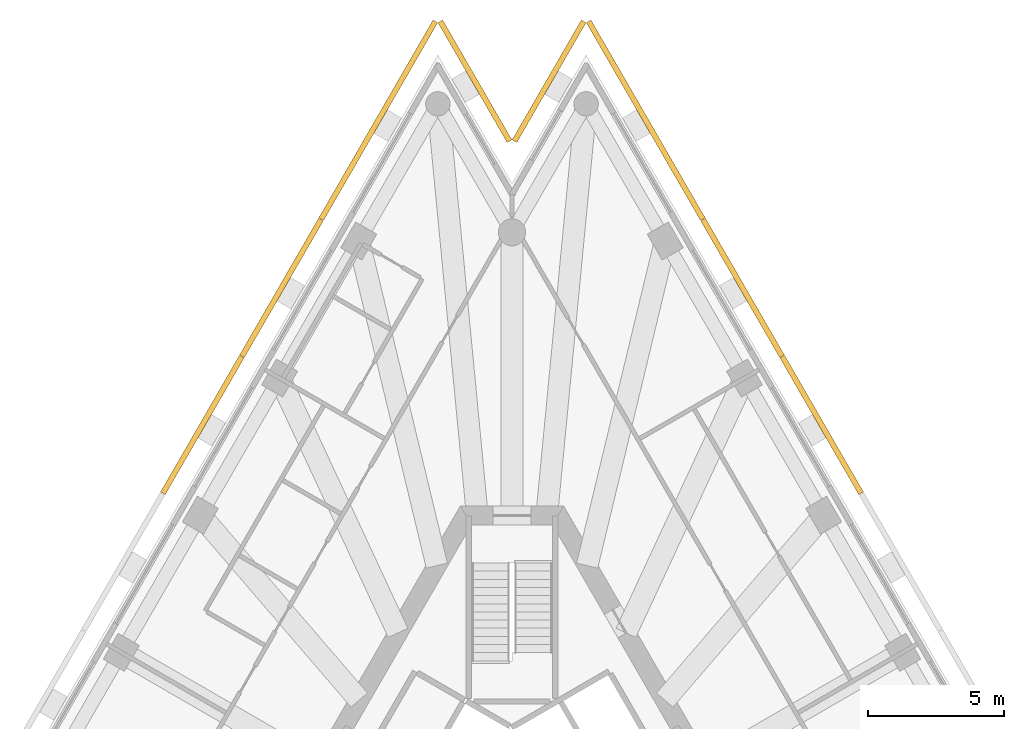
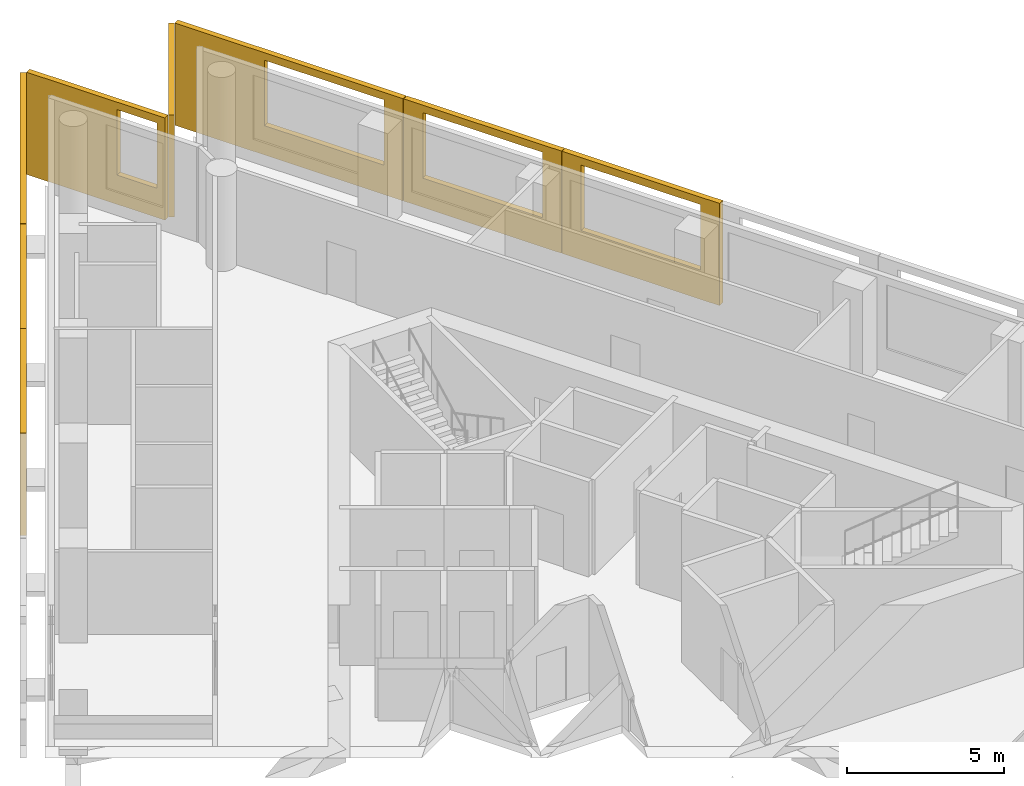
# One storey, part 10 of 10: 8 shading devices.
"""IFC4 building model written with IfcOpenShell, lengths in metres."""

from ifc_helpers import new_model, si_unit, direction, frame, origin, place, context, subcontext, project, spatial, polyline, outline, extrude, material, layer, layer_set, type_object, element, save


model = new_model("IFC4")

# Units and contexts
model_context = context("Model", 3, precision=1e-05, world=origin(), true_north=direction((0.0, 1.0)))
body_context = subcontext(model_context, "Body", "Model", "MODEL_VIEW")
ifc_project = project(units=[si_unit("LENGTHUNIT", "METRE"), si_unit("AREAUNIT", "SQUARE_METRE"), si_unit("VOLUMEUNIT", "CUBIC_METRE"), si_unit("PLANEANGLEUNIT", "RADIAN"), si_unit("MASSUNIT", "GRAM", prefix="KILO")], contexts=[model_context])

# Site, building, storey
site_placement = place(None, origin())
site = spatial("IfcSite", under=ifc_project, at=site_placement, CompositionType="ELEMENT")
building_placement = place(site_placement, origin())
building = spatial("IfcBuilding", under=site, at=building_placement, Name="Triada Interchange Tower", CompositionType="ELEMENT")
storey_placement = place(building_placement, frame((0.0, 0.0, 247.300048828125)))
storey = spatial("IfcBuildingStorey", under=building, at=storey_placement, Name="L58", CompositionType="ELEMENT", Elevation=247.300048828125)

# Shading devices
ifc_material = material(Name="Concrete C50/60 precast", Category="concrete")
ifc_layer_1 = layer(ifc_material, 0.02001953125, Name="Exposed aggregate face")
ifc_layer_2 = layer(ifc_material, 0.179931640625, Name="Precast concrete screen")
ifc_layer_set = layer_set([ifc_layer_1, ifc_layer_2], Name="Outer skin screen panel 3980")
shading_device_type = type_object("IfcShadingDeviceType", Name="Outer skin screen panel 3980", PredefinedType="SHUTTER", material=ifc_layer_set)
shading_device_1_placement = place(storey_placement, frame((-2.737060546875, 31.508056640625, -0.2900390625), z_axis=(0.0, 0.0, 1.0), x_axis=(-0.499951117002, -0.866053624557, 0.0)))
element("IfcShadingDevice", 1, at=shading_device_1_placement, inside=storey, type_object=shading_device_type, Name="Outer skin screen panel L58 01", PredefinedType="SHUTTER", context=body_context, shape_type="SweptSolid", body=[
    extrude(outline(polyline([(0.0, 0.0), (8.410400390625, 0.0), (8.410400390625, 3.97998046875), (0.0, 3.97998046875), (0.0, 0.0)]), holes=[polyline([(3.3046875, 1.139892578125), (3.3046875, 3.68994140625), (7.70458984375, 3.68994140625), (7.70458984375, 1.139892578125), (3.3046875, 1.139892578125)])]), frame((0.0, 0.0, 0.0), z_axis=(0.0, -1.0, 0.0), x_axis=(1.0, 0.0, 0.0)), (0.0, 0.0, 1.0), 0.199951171875),
])
shading_device_2_placement = place(storey_placement, frame((-6.951904296875, 24.20703125, -0.2900390625), z_axis=(0.0, 0.0, 1.0), x_axis=(-0.500082362009, -0.865977846834, 0.0)))
element("IfcShadingDevice", 2, at=shading_device_2_placement, inside=storey, type_object=shading_device_type, Name="Outer skin screen panel L58 02", PredefinedType="SHUTTER", context=body_context, shape_type="SweptSolid", body=[
    extrude(outline(polyline([(0.0, 0.0), (5.81298828125, 0.0), (5.81298828125, 3.97998046875), (0.0, 3.97998046875), (0.0, 0.0)]), holes=[polyline([(0.705810546875, 1.139892578125), (0.705810546875, 3.68994140625), (5.10595703125, 3.68994140625), (5.10595703125, 1.139892578125), (0.705810546875, 1.139892578125)])]), frame((0.0, 0.0, 0.0), z_axis=(0.0, -1.0, 0.0), x_axis=(1.0, 0.0, 0.0)), (0.0, 0.0, 1.0), 0.199951171875),
])
shading_device_3_placement = place(storey_placement, frame((-9.868896484375, 19.156005859375, -0.2900390625), z_axis=(0.0, 0.0, 1.0), x_axis=(-0.499956362902, -0.866050596209, 0.0)))
element("IfcShadingDevice", 3, at=shading_device_3_placement, inside=storey, type_object=shading_device_type, Name="Outer skin screen panel L58 03", PredefinedType="SHUTTER", context=body_context, shape_type="SweptSolid", body=[
    extrude(outline(polyline([(0.0, 0.0), (5.8125, 0.0), (5.8125, 3.97998046875), (0.0, 3.97998046875), (0.0, 0.0)]), holes=[polyline([(0.706298828125, 1.139892578125), (0.706298828125, 3.68994140625), (5.106201171875, 3.68994140625), (5.106201171875, 1.139892578125), (0.706298828125, 1.139892578125)])]), frame((0.0, 0.0, 0.0), z_axis=(0.0, -1.0, 0.0), x_axis=(1.0, 0.0, 0.0)), (0.0, 0.0, 1.0), 0.199951171875),
])
shading_device_4_placement = place(storey_placement, frame((12.77490234375, 14.1220703125, -0.2900390625), z_axis=(0.0, 0.0, 1.0), x_axis=(-0.499956362902, 0.866050596209, 0.0)))
element("IfcShadingDevice", 4, at=shading_device_4_placement, inside=storey, type_object=shading_device_type, Name="Outer skin screen panel L58 26", PredefinedType="SHUTTER", context=body_context, shape_type="SweptSolid", body=[
    extrude(outline(polyline([(0.0, 0.0), (5.8125, 0.0), (5.8125, 3.97998046875), (0.0, 3.97998046875), (0.0, 0.0)]), holes=[polyline([(0.7060546875, 1.139892578125), (0.7060546875, 3.68994140625), (5.106201171875, 3.68994140625), (5.106201171875, 1.139892578125), (0.7060546875, 1.139892578125)])]), frame((0.0, 0.0, 0.0), z_axis=(0.0, -1.0, 0.0), x_axis=(1.0, 0.0, 0.0)), (0.0, 0.0, 1.0), 0.199951171875),
])
shading_device_5_placement = place(storey_placement, frame((9.85888671875, 19.173095703125, -0.2900390625), z_axis=(0.0, 0.0, 1.0), x_axis=(-0.500082362009, 0.865977846834, 0.0)))
element("IfcShadingDevice", 5, at=shading_device_5_placement, inside=storey, type_object=shading_device_type, Name="Outer skin screen panel L58 27", PredefinedType="SHUTTER", context=body_context, shape_type="SweptSolid", body=[
    extrude(outline(polyline([(0.0, 0.0), (5.81298828125, 0.0), (5.81298828125, 3.97998046875), (0.0, 3.97998046875), (0.0, 0.0)]), holes=[polyline([(0.706298828125, 1.139892578125), (0.706298828125, 3.68994140625), (5.1064453125, 3.68994140625), (5.1064453125, 1.139892578125), (0.706298828125, 1.139892578125)])]), frame((0.0, 0.0, 0.0), z_axis=(0.0, -1.0, 0.0), x_axis=(1.0, 0.0, 0.0)), (0.0, 0.0, 1.0), 0.199951171875),
])
shading_device_6_placement = place(storey_placement, frame((6.94189453125, 24.22412109375, -0.2900390625), z_axis=(0.0, 0.0, 1.0), x_axis=(-0.499951117002, 0.866053624557, 0.0)))
element("IfcShadingDevice", 6, at=shading_device_6_placement, inside=storey, type_object=shading_device_type, Name="Outer skin screen panel L58 28", PredefinedType="SHUTTER", context=body_context, shape_type="SweptSolid", body=[
    extrude(outline(polyline([(0.0, 0.0), (8.410400390625, 0.0), (8.410400390625, 3.97998046875), (0.0, 3.97998046875), (0.0, 0.0)]), holes=[polyline([(0.705810546875, 1.139892578125), (0.705810546875, 3.68994140625), (5.105712890625, 3.68994140625), (5.105712890625, 1.139892578125), (0.705810546875, 1.139892578125)])]), frame((0.0, 0.0, 0.0), z_axis=(0.0, -1.0, 0.0), x_axis=(1.0, 0.0, 0.0)), (0.0, 0.0, 1.0), 0.199951171875),
])
shading_device_7_placement = place(storey_placement, frame((2.72705078125, 31.508056640625, -0.2900390625), z_axis=(0.0, 0.0, 1.0), x_axis=(-0.500090059957, -0.8659734014, 0.0)))
element("IfcShadingDevice", 7, at=shading_device_7_placement, inside=storey, type_object=shading_device_type, Name="Outer skin screen panel L58 29", PredefinedType="SHUTTER", context=body_context, shape_type="SweptSolid", body=[
    extrude(outline(polyline([(0.0, 0.0), (5.09716796875, 0.0), (5.09716796875, 3.97998046875), (0.0, 3.97998046875), (0.0, 0.0)]), holes=[polyline([(3.175537109375, 1.139892578125), (3.175537109375, 3.68994140625), (4.797607421875, 3.68994140625), (4.797607421875, 1.139892578125), (3.175537109375, 1.139892578125)])]), frame((0.0, 0.0, 0.0), z_axis=(0.0, -1.0, 0.0), x_axis=(1.0, 0.0, 0.0)), (0.0, 0.0, 1.0), 0.199951171875),
])
shading_device_8_placement = place(storey_placement, frame((-0.177978515625, 27.093994140625, -0.2900390625), z_axis=(0.0, 0.0, 1.0), x_axis=(-0.500090059957, 0.8659734014, 0.0)))
element("IfcShadingDevice", 8, at=shading_device_8_placement, inside=storey, type_object=shading_device_type, Name="Outer skin screen panel L58 30", PredefinedType="SHUTTER", context=body_context, shape_type="SweptSolid", body=[
    extrude(outline(polyline([(0.0, 0.0), (5.09716796875, 0.0), (5.09716796875, 3.97998046875), (0.0, 3.97998046875), (0.0, 0.0)]), holes=[polyline([(0.300048828125, 1.139892578125), (0.300048828125, 3.68994140625), (1.7578125, 3.68994140625), (1.7578125, 1.139892578125), (0.300048828125, 1.139892578125)])]), frame((0.0, 0.0, 0.0), z_axis=(0.0, -1.0, 0.0), x_axis=(1.0, 0.0, 0.0)), (0.0, 0.0, 1.0), 0.199951171875),
])

save(model, "model.ifc")
